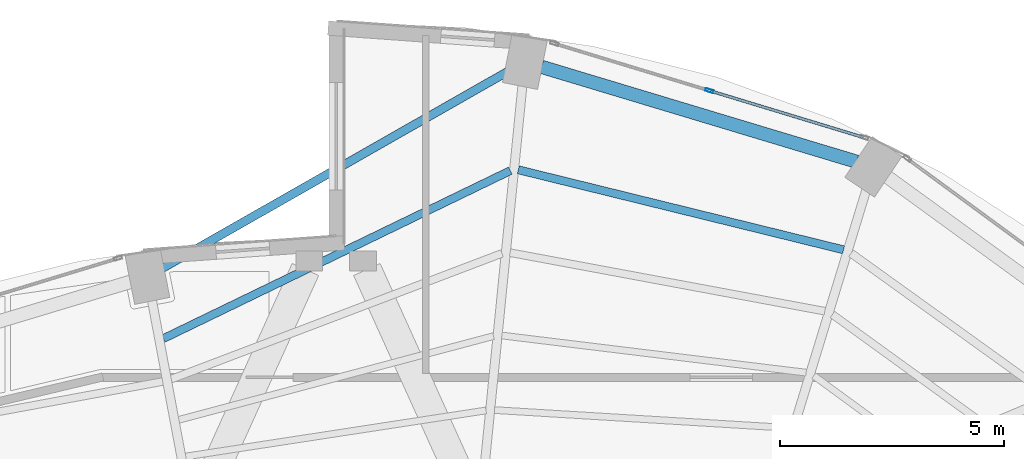
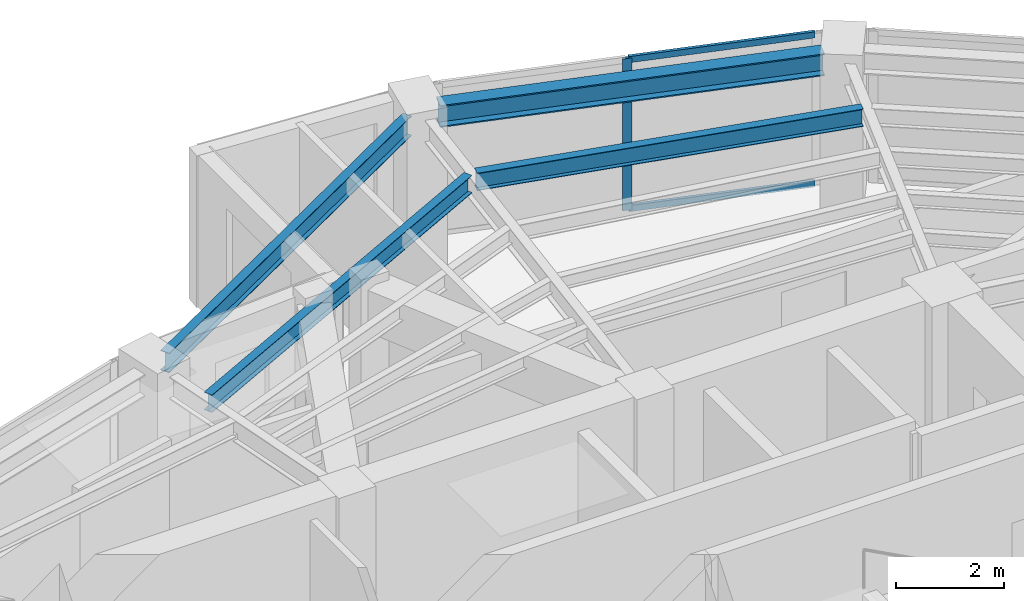
# One storey, part 16 of 22: 4 beams, 3 members, 1 element without a shape of its own.
"""IFC4 building model written with IfcOpenShell, lengths in metres."""

from ifc_helpers import new_model, si_unit, direction, frame, origin, origin_2d, place, context, subcontext, project, spatial, hollow_rectangle, i_section, extrude, material, layer, layer_set, material_profile, profile_set, type_object, element, aggregate, save


model = new_model("IFC4")

# Units and contexts
model_context = context("Model", 3, precision=1e-05, world=origin(), true_north=direction((0.0, 1.0)))
body_context = subcontext(model_context, "Body", "Model", "MODEL_VIEW")
ifc_project = project(units=[si_unit("LENGTHUNIT", "METRE"), si_unit("AREAUNIT", "SQUARE_METRE"), si_unit("VOLUMEUNIT", "CUBIC_METRE"), si_unit("PLANEANGLEUNIT", "RADIAN"), si_unit("MASSUNIT", "GRAM", prefix="KILO")], contexts=[model_context])

# Site, building, storey
site_placement = place(None, origin())
site = spatial("IfcSite", under=ifc_project, at=site_placement, CompositionType="ELEMENT")
building_placement = place(site_placement, origin())
building = spatial("IfcBuilding", under=site, at=building_placement, Name="Lazwardi Medical Tower", CompositionType="ELEMENT")
storey_placement = place(building_placement, frame((0.0, 0.0, 227.6640625)))
storey = spatial("IfcBuildingStorey", under=building, at=storey_placement, Name="L59", CompositionType="ELEMENT", Elevation=227.6640625)

# Beams
ifc_material_1 = material(Name="Steel S355", Category="steel")
ifc_material_profile_1 = material_profile(ifc_material_1, i_section(OverallWidth=0.300048828125, OverallDepth=0.5, WebThickness=0.014404296875, FlangeThickness=0.028076171875, at=origin_2d()), Name="HEB 500")
ifc_profile_set_1 = profile_set([ifc_material_profile_1], Name="Steel S355")
beam_type_1 = type_object("IfcBeamType", Name="BM-RB-Z4", PredefinedType="BEAM", material=ifc_profile_set_1)
beam_1_placement = place(storey_placement, frame((47.626953125, 43.56640625, 3.197998046875), z_axis=(-0.957544311906, 0.288286126506, 0.0), x_axis=(-0.288286126506, -0.957544311906, 0.0)))
element("IfcBeam", 1, at=beam_1_placement, inside=storey, type_object=beam_type_1, Name="Ring beam RB-05 B07 L59", PredefinedType="BEAM", context=body_context, shape_type="SweptSolid", body=[
    extrude(i_section(OverallWidth=0.300048828125, OverallDepth=0.5, WebThickness=0.014404296875, FlangeThickness=0.028076171875, at=origin_2d()), origin(), (0.0, 0.0, 1.0), 7.3515625),
])
ifc_material_profile_2 = material_profile(ifc_material_1, i_section(OverallWidth=0.179931640625, OverallDepth=0.39990234375, WebThickness=0.008544921875, FlangeThickness=0.013427734375, at=origin_2d()), Name="IPE 400")
ifc_profile_set_2 = profile_set([ifc_material_profile_2], Name="Steel S355")
beam_type_2 = type_object("IfcBeamType", Name="BM-SJ-01", PredefinedType="JOIST", material=ifc_profile_set_2)
beam_2_placement = place(storey_placement, frame((47.334228515625, 41.59912109375, 3.248046875), z_axis=(-0.971041669317, 0.238910184904, 0.0), x_axis=(-0.238910184904, -0.971041669317, 0.0)))
element("IfcBeam", 2, at=beam_2_placement, inside=storey, type_object=beam_type_2, Name="Secondary joist SJ-01 R1 B07 L59", PredefinedType="JOIST", context=body_context, shape_type="SweptSolid", body=[
    extrude(i_section(OverallWidth=0.179931640625, OverallDepth=0.39990234375, WebThickness=0.008544921875, FlangeThickness=0.013427734375, at=origin_2d()), origin(), (0.0, 0.0, 1.0), 7.482421875),
])
beam_3_placement = place(storey_placement, frame((39.89111328125, 43.367919921875, 3.248046875), z_axis=(-0.900068885459, -0.435747635024, 0.0), x_axis=(0.435747635024, -0.900068885459, 0.0)))
element("IfcBeam", 3, at=beam_3_placement, inside=storey, type_object=beam_type_2, Name="Secondary joist SJ-01 R1 B08 L59", PredefinedType="JOIST", context=body_context, shape_type="SweptSolid", body=[
    extrude(i_section(OverallWidth=0.179931640625, OverallDepth=0.39990234375, WebThickness=0.008544921875, FlangeThickness=0.013427734375, at=origin_2d()), origin(), (0.0, 0.0, 1.0), 8.612548828125),
])
ifc_material_profile_3 = material_profile(ifc_material_1, i_section(OverallWidth=0.18994140625, OverallDepth=0.449951171875, WebThickness=0.009521484375, FlangeThickness=0.0146484375, at=origin_2d()), Name="IPE 450")
ifc_profile_set_3 = profile_set([ifc_material_profile_3], Name="Steel S355")
beam_type_3 = type_object("IfcBeamType", Name="BM-SP-01", PredefinedType="SPANDREL", material=ifc_profile_set_3)
beam_4_placement = place(storey_placement, frame((39.875, 45.605224609375, 3.222900390625), z_axis=(-0.868954808466, -0.494891443494, 0.0), x_axis=(0.494891443494, -0.868954808466, 0.0)))
element("IfcBeam", 4, at=beam_4_placement, inside=storey, type_object=beam_type_3, Name="Spandrel beam SP-01 B08 L59", PredefinedType="SPANDREL", context=body_context, shape_type="SweptSolid", body=[
    extrude(i_section(OverallWidth=0.18994140625, OverallDepth=0.449951171875, WebThickness=0.009521484375, FlangeThickness=0.0146484375, at=origin_2d()), origin(), (0.0, 0.0, 1.0), 8.918701171875),
])

# Curtain wall, members
ifc_material_2 = material(Name="Anodised bronze aluminium and solar control glazing", Category="aluminium")
ifc_layer = layer(ifc_material_2, 0.18994140625)
ifc_layer_set = layer_set([ifc_layer], Name="Anodised bronze aluminium and solar control glazing")
curtain_wall_type = type_object("IfcCurtainWallType", Name="CW-SYS-04", PredefinedType="NOTDEFINED", material=ifc_layer_set)
curtain_wall_placement = place(storey_placement, origin())
curtain_wall = element("IfcCurtainWall", 5, at=curtain_wall_placement, inside=storey, type_object=curtain_wall_type, Name="L59 Unitised bronze curtain wall CW-04", PredefinedType="NOTDEFINED")
ifc_material_3 = material(Name="Anodised bronze aluminium", Category="aluminium")
ifc_material_profile_4 = material_profile(ifc_material_3, hollow_rectangle(XDim=0.06494140625, YDim=0.179931640625, WallThickness=0.00390625, at=origin_2d()), Name="ALU-MULLION 180x65x4")
ifc_profile_set_4 = profile_set([ifc_material_profile_4], Name="Anodised bronze aluminium")
member_type_1 = type_object("IfcMemberType", Name="CW-MUL-03", PredefinedType="MULLION", material=ifc_profile_set_4)
member_1_placement = place(storey_placement, frame((44.33642578125, 45.1552734375, 0.0), z_axis=(0.0, 0.0, 1.0), x_axis=(-0.290581889515, -0.956850126972, 0.0)))
member_1 = element("IfcMember", 6, at=member_1_placement, type_object=member_type_1, Name="CW-04 mullion 2", PredefinedType="MULLION", context=body_context, shape_type="SweptSolid", body=[
    extrude(hollow_rectangle(XDim=0.06494140625, YDim=0.179931640625, WallThickness=0.00390625, at=origin_2d()), origin(), (0.0, 0.0, 1.0), 3.447998046875),
])
ifc_material_profile_5 = material_profile(ifc_material_3, hollow_rectangle(XDim=0.06494140625, YDim=0.139892578125, WallThickness=0.00341796875, at=origin_2d()), Name="ALU-TRANSOM 140x65x3.5")
ifc_profile_set_5 = profile_set([ifc_material_profile_5], Name="Anodised bronze aluminium")
member_type_2 = type_object("IfcMemberType", Name="CW-TRN-03", PredefinedType="USERDEFINED", material=ifc_profile_set_5)
member_2_placement = place(storey_placement, frame((47.7685546875, 44.113037109375, 0.032470703125), z_axis=(-0.956862505902, 0.290541124109, 0.0), x_axis=(-0.290541124109, -0.956862505902, 0.0)))
member_2 = element("IfcMember", 7, at=member_2_placement, type_object=member_type_2, Name="CW-04 transom 1.1", ObjectType="TRANSOM", PredefinedType="USERDEFINED", context=body_context, shape_type="SweptSolid", body=[
    extrude(hollow_rectangle(XDim=0.06494140625, YDim=0.139892578125, WallThickness=0.00341796875, at=origin_2d()), origin(), (0.0, 0.0, 1.0), 3.554443359375),
])
member_3_placement = place(storey_placement, frame((47.7685546875, 44.113037109375, 3.41552734375), z_axis=(-0.956862505902, 0.290541124109, 0.0), x_axis=(-0.290541124109, -0.956862505902, 0.0)))
member_3 = element("IfcMember", 8, at=member_3_placement, type_object=member_type_2, Name="CW-04 transom 1.2", ObjectType="TRANSOM", PredefinedType="USERDEFINED", context=body_context, shape_type="SweptSolid", body=[
    extrude(hollow_rectangle(XDim=0.06494140625, YDim=0.139892578125, WallThickness=0.00341796875, at=origin_2d()), origin(), (0.0, 0.0, 1.0), 3.554443359375),
])
aggregate(curtain_wall, [member_1, member_2, member_3])

save(model, "model.ifc")
